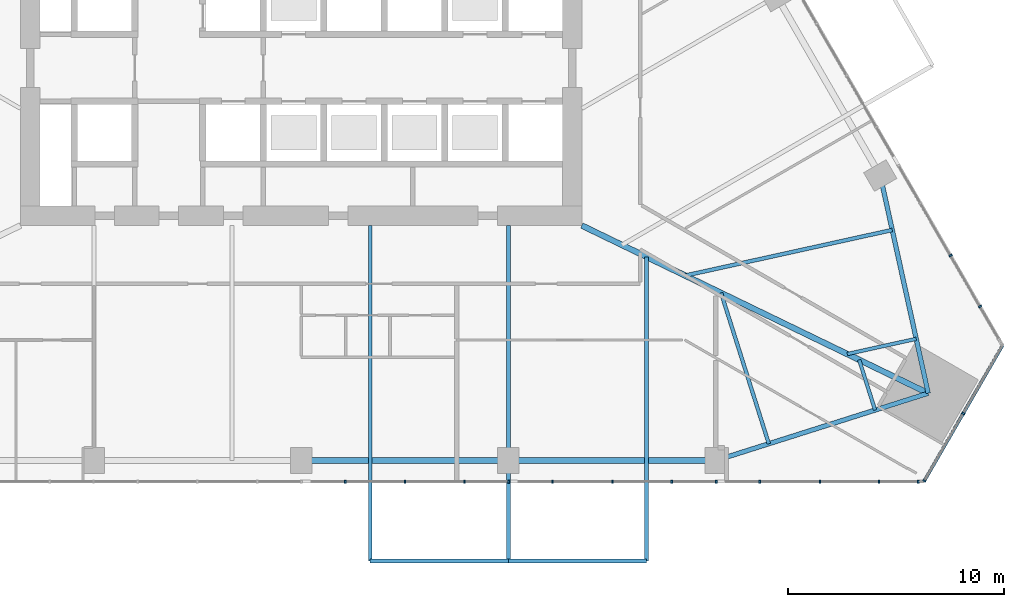
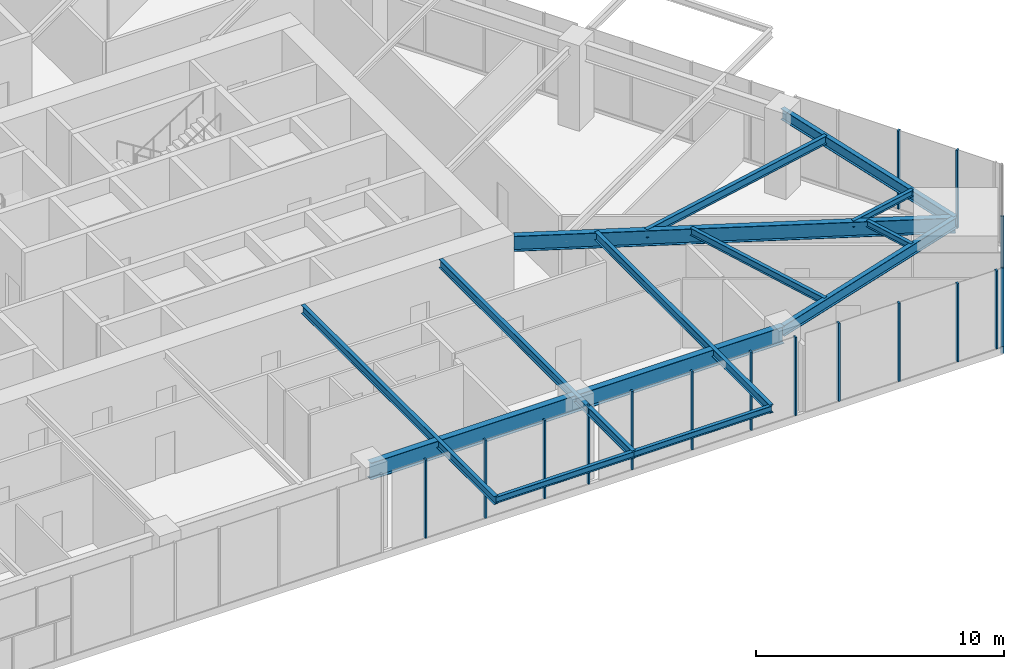
# One storey, part 6 of 29: 17 members, 13 beams, 3 elements without a shape of their own.
"""IFC4 building model written with IfcOpenShell, lengths in metres."""

from ifc_helpers import new_model, si_unit, direction, frame, origin, origin_2d, place, context, subcontext, project, spatial, rectangle, i_section, extrude, material, layer, layer_set, material_profile, profile_set, type_object, element, aggregate, save


model = new_model("IFC4")

# Units and contexts
model_context = context("Model", 3, precision=1e-05, world=origin(), true_north=direction((0.0, 1.0)))
body_context = subcontext(model_context, "Body", "Model", "MODEL_VIEW")
ifc_project = project(units=[si_unit("LENGTHUNIT", "METRE"), si_unit("AREAUNIT", "SQUARE_METRE"), si_unit("VOLUMEUNIT", "CUBIC_METRE"), si_unit("PLANEANGLEUNIT", "RADIAN"), si_unit("MASSUNIT", "GRAM", prefix="KILO")], contexts=[model_context])

# Site, building, storey
site_placement = place(None, origin())
site = spatial("IfcSite", under=ifc_project, at=site_placement, CompositionType="ELEMENT")
building_placement = place(site_placement, origin())
building = spatial("IfcBuilding", under=site, at=building_placement, Name="Firuza Gate Tower and Library", CompositionType="ELEMENT")
storey_placement = place(building_placement, frame((0.0, 0.0, 44.199951171875)))
storey = spatial("IfcBuildingStorey", under=building, at=storey_placement, Name="L09", CompositionType="ELEMENT", Elevation=44.199951171875)

# Curtain wall, members
ifc_material_1 = material(Name="Aluminium 6063-T6", Category="aluminium")
ifc_layer_1 = layer(ifc_material_1, 0.14990234375)
ifc_layer_set_1 = layer_set([ifc_layer_1], Name="Unitised curtain wall, offices")
curtain_wall_type_1 = type_object("IfcCurtainWallType", Name="Unitised curtain wall, offices", PredefinedType="NOTDEFINED", material=ifc_layer_set_1)
placement = place(storey_placement, origin())
curtain_wall_1 = element("IfcCurtainWall", 1, at=placement, inside=storey, type_object=curtain_wall_type_1, Name="CW1 L09 S face", PredefinedType="NOTDEFINED")
ifc_material_2 = material(Name="Aluminium 6063-T6", Category="aluminium")
ifc_material_profile_1 = material_profile(ifc_material_2, rectangle(XDim=0.14990234375, YDim=0.080078125, at=origin_2d()))
ifc_profile_set_1 = profile_set([ifc_material_profile_1], Name="Aluminium 6063-T6")
member_type_1 = type_object("IfcMemberType", Name="Curtain wall mullion 80x150", PredefinedType="MULLION", material=ifc_profile_set_1)
member_1_placement = place(storey_placement, frame((79.80712890625, 54.140380859375, 0.150146484375), z_axis=(0.0, 0.0, 1.0), x_axis=(0.0, 1.0, 0.0)))
member_1 = element("IfcMember", 2, at=member_1_placement, type_object=member_type_1, Name="Mullion", PredefinedType="MULLION", context=body_context, shape_type="SweptSolid", body=[
    extrude(rectangle(XDim=0.14990234375, YDim=0.080078125, at=origin_2d()), origin(), (0.0, 0.0, 1.0), 3.849853515625),
])
member_2_placement = place(storey_placement, frame((84.614501953125, 54.140380859375, 0.150146484375), z_axis=(0.0, 0.0, 1.0), x_axis=(0.0, 1.0, 0.0)))
member_2 = element("IfcMember", 3, at=member_2_placement, type_object=member_type_1, Name="Mullion", PredefinedType="MULLION", context=body_context, shape_type="SweptSolid", body=[
    extrude(rectangle(XDim=0.14990234375, YDim=0.080078125, at=origin_2d()), origin(), (0.0, 0.0, 1.0), 3.849853515625),
])
member_3_placement = place(storey_placement, frame((89.421630859375, 54.140380859375, 0.150146484375), z_axis=(0.0, 0.0, 1.0), x_axis=(0.0, 1.0, 0.0)))
member_3 = element("IfcMember", 4, at=member_3_placement, type_object=member_type_1, Name="Mullion", PredefinedType="MULLION", context=body_context, shape_type="SweptSolid", body=[
    extrude(rectangle(XDim=0.14990234375, YDim=0.080078125, at=origin_2d()), origin(), (0.0, 0.0, 1.0), 3.849853515625),
])
member_4_placement = place(storey_placement, frame((94.228759765625, 54.140380859375, 0.150146484375), z_axis=(0.0, 0.0, 1.0), x_axis=(0.0, 1.0, 0.0)))
member_4 = element("IfcMember", 5, at=member_4_placement, type_object=member_type_1, Name="Mullion", PredefinedType="MULLION", context=body_context, shape_type="SweptSolid", body=[
    extrude(rectangle(XDim=0.14990234375, YDim=0.080078125, at=origin_2d()), origin(), (0.0, 0.0, 1.0), 3.849853515625),
])
member_5_placement = place(storey_placement, frame((99.0361328125, 54.140380859375, 0.150146484375), z_axis=(0.0, 0.0, 1.0), x_axis=(0.0, 1.0, 0.0)))
member_5 = element("IfcMember", 6, at=member_5_placement, type_object=member_type_1, Name="Mullion", PredefinedType="MULLION", context=body_context, shape_type="SweptSolid", body=[
    extrude(rectangle(XDim=0.14990234375, YDim=0.080078125, at=origin_2d()), origin(), (0.0, 0.0, 1.0), 3.849853515625),
])
member_6_placement = place(storey_placement, frame((77.03759765625, 54.140380859375, 0.150146484375), z_axis=(0.0, 0.0, 1.0), x_axis=(0.0, 1.0, 0.0)))
member_6 = element("IfcMember", 7, at=member_6_placement, type_object=member_type_1, Name="Mullion", PredefinedType="MULLION", context=body_context, shape_type="SweptSolid", body=[
    extrude(rectangle(XDim=0.14990234375, YDim=0.080078125, at=origin_2d()), origin(), (0.0, 0.0, 1.0), 3.849853515625),
])
member_7_placement = place(storey_placement, frame((82.5625, 54.140380859375, 0.150146484375), z_axis=(0.0, 0.0, 1.0), x_axis=(0.0, 1.0, 0.0)))
member_7 = element("IfcMember", 8, at=member_7_placement, type_object=member_type_1, Name="Mullion", PredefinedType="MULLION", context=body_context, shape_type="SweptSolid", body=[
    extrude(rectangle(XDim=0.14990234375, YDim=0.080078125, at=origin_2d()), origin(), (0.0, 0.0, 1.0), 3.849853515625),
])
member_8_placement = place(storey_placement, frame((86.6376953125, 54.140380859375, 0.150146484375), z_axis=(0.0, 0.0, 1.0), x_axis=(0.0, 1.0, 0.0)))
member_8 = element("IfcMember", 9, at=member_8_placement, type_object=member_type_1, Name="Mullion", PredefinedType="MULLION", context=body_context, shape_type="SweptSolid", body=[
    extrude(rectangle(XDim=0.14990234375, YDim=0.080078125, at=origin_2d()), origin(), (0.0, 0.0, 1.0), 3.849853515625),
])
member_9_placement = place(storey_placement, frame((92.162353515625, 54.140380859375, 0.150146484375), z_axis=(0.0, 0.0, 1.0), x_axis=(0.0, 1.0, 0.0)))
member_9 = element("IfcMember", 10, at=member_9_placement, type_object=member_type_1, Name="Mullion", PredefinedType="MULLION", context=body_context, shape_type="SweptSolid", body=[
    extrude(rectangle(XDim=0.14990234375, YDim=0.080078125, at=origin_2d()), origin(), (0.0, 0.0, 1.0), 3.849853515625),
])
member_10_placement = place(storey_placement, frame((96.237548828125, 54.140380859375, 0.150146484375), z_axis=(0.0, 0.0, 1.0), x_axis=(0.0, 1.0, 0.0)))
member_10 = element("IfcMember", 11, at=member_10_placement, type_object=member_type_1, Name="Mullion", PredefinedType="MULLION", context=body_context, shape_type="SweptSolid", body=[
    extrude(rectangle(XDim=0.14990234375, YDim=0.080078125, at=origin_2d()), origin(), (0.0, 0.0, 1.0), 3.849853515625),
])
member_11_placement = place(storey_placement, frame((101.762451171875, 54.140380859375, 0.150146484375), z_axis=(0.0, 0.0, 1.0), x_axis=(0.0, 1.0, 0.0)))
member_11 = element("IfcMember", 12, at=member_11_placement, type_object=member_type_1, Name="Mullion", PredefinedType="MULLION", context=body_context, shape_type="SweptSolid", body=[
    extrude(rectangle(XDim=0.14990234375, YDim=0.080078125, at=origin_2d()), origin(), (0.0, 0.0, 1.0), 3.849853515625),
])
member_12_placement = place(storey_placement, frame((103.5771484375, 54.140380859375, 0.150146484375), z_axis=(0.0, 0.0, 1.0), x_axis=(0.0, 1.0, 0.0)))
member_12 = element("IfcMember", 13, at=member_12_placement, type_object=member_type_1, Name="Mullion", PredefinedType="MULLION", context=body_context, shape_type="SweptSolid", body=[
    extrude(rectangle(XDim=0.14990234375, YDim=0.080078125, at=origin_2d()), origin(), (0.0, 0.0, 1.0), 3.849853515625),
])
aggregate(curtain_wall_1, [member_1, member_2, member_3, member_4, member_5, member_6, member_7, member_8, member_9, member_10, member_11, member_12])

ifc_material_3 = material(Name="Aluminium 6063-T6", Category="aluminium")
ifc_layer_2 = layer(ifc_material_3, 0.14990234375)
ifc_layer_set_2 = layer_set([ifc_layer_2], Name="Corner curtain wall, chamfers")
curtain_wall_type_2 = type_object("IfcCurtainWallType", Name="Corner curtain wall, chamfers", PredefinedType="NOTDEFINED", material=ifc_layer_set_2)
curtain_wall_2 = element("IfcCurtainWall", 14, at=placement, inside=storey, type_object=curtain_wall_type_2, Name="CW4 L09 SE corner", PredefinedType="NOTDEFINED")
member_13_placement = place(storey_placement, frame((103.86328125, 54.175048828125, 0.150146484375), z_axis=(0.0, 0.0, 1.0), x_axis=(-0.866025403784, 0.5, 0.0)))
member_13 = element("IfcMember", 15, at=member_13_placement, type_object=member_type_1, Name="Mullion", PredefinedType="MULLION", context=body_context, shape_type="SweptSolid", body=[
    extrude(rectangle(XDim=0.14990234375, YDim=0.080078125, at=origin_2d()), origin(), (0.0, 0.0, 1.0), 3.849853515625),
])
member_14_placement = place(storey_placement, frame((105.6650390625, 57.295654296875, 0.150146484375), z_axis=(0.0, 0.0, 1.0), x_axis=(-0.866025403784, 0.5, 0.0)))
member_14 = element("IfcMember", 16, at=member_14_placement, type_object=member_type_1, Name="Mullion", PredefinedType="MULLION", context=body_context, shape_type="SweptSolid", body=[
    extrude(rectangle(XDim=0.14990234375, YDim=0.080078125, at=origin_2d()), origin(), (0.0, 0.0, 1.0), 3.849853515625),
])

curtain_wall_3 = element("IfcCurtainWall", 17, at=placement, inside=storey, type_object=curtain_wall_type_1, Name="CW1 L09 E face", PredefinedType="NOTDEFINED")
member_15_placement = place(storey_placement, frame((105.0830078125, 64.614013671875, 0.150146484375), z_axis=(0.0, 0.0, 1.0), x_axis=(-0.866025403784, -0.5, 0.0)))
member_15 = element("IfcMember", 18, at=member_15_placement, type_object=member_type_1, Name="Mullion", PredefinedType="MULLION", context=body_context, shape_type="SweptSolid", body=[
    extrude(rectangle(XDim=0.14990234375, YDim=0.080078125, at=origin_2d()), origin(), (0.0, 0.0, 1.0), 3.849853515625),
])
member_16_placement = place(storey_placement, frame((106.446044921875, 62.2529296875, 0.150146484375), z_axis=(0.0, 0.0, 1.0), x_axis=(-0.866025403784, -0.5, 0.0)))
member_16 = element("IfcMember", 19, at=member_16_placement, type_object=member_type_1, Name="Mullion", PredefinedType="MULLION", context=body_context, shape_type="SweptSolid", body=[
    extrude(rectangle(XDim=0.14990234375, YDim=0.080078125, at=origin_2d()), origin(), (0.0, 0.0, 1.0), 3.849853515625),
])
aggregate(curtain_wall_3, [member_15, member_16])

# Member
ifc_material_4 = material(Name="Aluminium 6063-T6", Category="aluminium")
ifc_material_profile_2 = material_profile(ifc_material_4, rectangle(XDim=0.14990234375, YDim=0.35009765625, at=origin_2d()))
ifc_profile_set_2 = profile_set([ifc_material_profile_2], Name="Aluminium 6063-T6")
member_type_2 = type_object("IfcMemberType", Name="Curtain wall transom 350x150", PredefinedType="USERDEFINED", material=ifc_profile_set_2)
member_17_placement = place(storey_placement, frame((103.84326171875, 54.140380859375, -0.02490234375), z_axis=(0.500005719219, 0.866022101766, 0.0), x_axis=(-0.866022101766, 0.500005719219, 0.0)))
member_17 = element("IfcMember", 20, at=member_17_placement, type_object=member_type_2, Name="Transom", ObjectType="TRANSOM", PredefinedType="USERDEFINED", context=body_context, shape_type="SweptSolid", body=[
    extrude(rectangle(XDim=0.14990234375, YDim=0.35009765625, at=origin_2d()), origin(), (0.0, 0.0, 1.0), 7.28662109375),
])

aggregate(curtain_wall_2, [member_13, member_14, member_17])

# Beams
ifc_material_5 = material(Name="Steel S355", Category="steel")
ifc_material_profile_3 = material_profile(ifc_material_5, i_section(OverallWidth=0.1650390625, OverallDepth=0.31005859375, WebThickness=0.005859375, FlangeThickness=0.009765625, at=origin_2d()))
ifc_profile_set_3 = profile_set([ifc_material_profile_3], Name="Steel S355")
beam_type_1 = type_object("IfcBeamType", Name="W310x39 Floor beam", PredefinedType="JOIST", material=ifc_profile_set_3)
beam_1_placement = place(storey_placement, frame((101.580810546875, 57.45361328125, 3.844970703125), z_axis=(-0.30197349393, 0.953316321566, 0.0), x_axis=(-0.953316321566, -0.30197349393, 0.0)))
element("IfcBeam", 21, at=beam_1_placement, inside=storey, type_object=beam_type_1, Name="Floor beam L09 s31", PredefinedType="JOIST", context=body_context, shape_type="SweptSolid", body=[
    extrude(i_section(OverallWidth=0.1650390625, OverallDepth=0.31005859375, WebThickness=0.005859375, FlangeThickness=0.009765625, at=origin_2d()), origin(), (0.0, 0.0, 1.0), 2.441650390625),
])
beam_2_placement = place(storey_placement, frame((103.486083984375, 60.75341796875, 3.844970703125), z_axis=(-0.976601243751, -0.215058156564, 0.0), x_axis=(0.215058156564, -0.976601243751, 0.0)))
element("IfcBeam", 22, at=beam_2_placement, inside=storey, type_object=beam_type_1, Name="Floor beam L09 s40", PredefinedType="JOIST", context=body_context, shape_type="SweptSolid", body=[
    extrude(i_section(OverallWidth=0.1650390625, OverallDepth=0.31005859375, WebThickness=0.005859375, FlangeThickness=0.009765625, at=origin_2d()), origin(), (0.0, 0.0, 1.0), 3.27294921875),
])
beam_3_placement = place(storey_placement, frame((78.199951171875, 50.46533203125, 3.844970703125), z_axis=(1.0, 0.0, 0.0), x_axis=(0.0, 1.0, 0.0)))
element("IfcBeam", 23, at=beam_3_placement, inside=storey, type_object=beam_type_1, Name="Tray edge beam L09 s23-s24", PredefinedType="JOIST", context=body_context, shape_type="SweptSolid", body=[
    extrude(i_section(OverallWidth=0.1650390625, OverallDepth=0.31005859375, WebThickness=0.005859375, FlangeThickness=0.009765625, at=origin_2d()), origin(), (0.0, 0.0, 1.0), 6.400146484375),
])
beam_4_placement = place(storey_placement, frame((84.60009765625, 50.46533203125, 3.844970703125), z_axis=(1.0, 0.0, 0.0), x_axis=(0.0, 1.0, 0.0)))
element("IfcBeam", 24, at=beam_4_placement, inside=storey, type_object=beam_type_1, Name="Tray edge beam L09 s24-s25", PredefinedType="JOIST", context=body_context, shape_type="SweptSolid", body=[
    extrude(i_section(OverallWidth=0.1650390625, OverallDepth=0.31005859375, WebThickness=0.005859375, FlangeThickness=0.009765625, at=origin_2d()), origin(), (0.0, 0.0, 1.0), 6.39990234375),
])
ifc_material_6 = material(Name="Steel S355", Category="steel")
ifc_material_profile_4 = material_profile(ifc_material_6, i_section(OverallWidth=0.1708984375, OverallDepth=0.35498046875, WebThickness=0.007080078125, FlangeThickness=0.01171875, at=origin_2d()))
ifc_profile_set_4 = profile_set([ifc_material_profile_4], Name="Steel S355")
beam_type_2 = type_object("IfcBeamType", Name="W360x51 Floor beam", PredefinedType="JOIST", material=ifc_profile_set_4)
beam_5_placement = place(storey_placement, frame((96.660400390625, 55.894775390625, 3.822509765625), z_axis=(-0.302024477968, 0.953300170307, 0.0), x_axis=(-0.953300170307, -0.302024477968, 0.0)))
element("IfcBeam", 25, at=beam_5_placement, inside=storey, type_object=beam_type_2, Name="Floor beam L09 s30", PredefinedType="JOIST", context=body_context, shape_type="SweptSolid", body=[
    extrude(i_section(OverallWidth=0.1708984375, OverallDepth=0.35498046875, WebThickness=0.007080078125, FlangeThickness=0.01171875, at=origin_2d()), origin(), (0.0, 0.0, 1.0), 7.3251953125),
])
ifc_material_7 = material(Name="Steel S355", Category="steel")
ifc_material_profile_5 = material_profile(ifc_material_7, i_section(OverallWidth=0.177978515625, OverallDepth=0.406982421875, WebThickness=0.0078125, FlangeThickness=0.0126953125, at=origin_2d()))
ifc_profile_set_5 = profile_set([ifc_material_profile_5], Name="Steel S355")
beam_type_3 = type_object("IfcBeamType", Name="W410x60 Floor beam", PredefinedType="JOIST", material=ifc_profile_set_5)
for number, where, z_axis, x_axis, name in (
    (26, (78.199951171875, 50.46533203125, 3.796630859375), (0.0, 1.0, 0.0), (-1.0, 0.0, 0.0), "Floor beam L09 s23"),
    (27, (84.60009765625, 50.46533203125, 3.796630859375), (0.0, 1.0, 0.0), (-1.0, 0.0, 0.0), "Floor beam L09 s24"),
):
    element("IfcBeam", number, at=place(storey_placement, frame(where, z_axis=z_axis, x_axis=x_axis)), inside=storey, type_object=beam_type_3, Name=name, PredefinedType="JOIST", context=body_context, shape_type="SweptSolid", body=[
        extrude(i_section(OverallWidth=0.177978515625, OverallDepth=0.406982421875, WebThickness=0.0078125, FlangeThickness=0.0126953125, at=origin_2d()), origin(), (0.0, 0.0, 1.0), 15.53466796875),
    ])
beam_6_placement = place(storey_placement, frame((91.0, 50.46533203125, 3.796630859375), z_axis=(0.0, 1.0, 0.0), x_axis=(-1.0, 0.0, 0.0)))
element("IfcBeam", 28, at=beam_6_placement, inside=storey, type_object=beam_type_3, Name="Floor beam L09 s25", PredefinedType="JOIST", context=body_context, shape_type="SweptSolid", body=[
    extrude(i_section(OverallWidth=0.177978515625, OverallDepth=0.406982421875, WebThickness=0.0078125, FlangeThickness=0.0126953125, at=origin_2d()), origin(), (0.0, 0.0, 1.0), 14.08203125),
])
beam_7_placement = place(storey_placement, frame((102.375732421875, 65.794189453125, 3.796630859375), z_axis=(-0.97658964753, -0.215110809441, 0.0), x_axis=(0.215110809441, -0.97658964753, 0.0)))
element("IfcBeam", 29, at=beam_7_placement, inside=storey, type_object=beam_type_3, Name="Floor beam L09 s41", PredefinedType="JOIST", context=body_context, shape_type="SweptSolid", body=[
    extrude(i_section(OverallWidth=0.177978515625, OverallDepth=0.406982421875, WebThickness=0.0078125, FlangeThickness=0.0126953125, at=origin_2d()), origin(), (0.0, 0.0, 1.0), 9.818359375),
])
ifc_material_8 = material(Name="Steel S355", Category="steel")
ifc_material_profile_6 = material_profile(ifc_material_8, i_section(OverallWidth=0.212890625, OverallDepth=0.5390625, WebThickness=0.01171875, FlangeThickness=0.018798828125, at=origin_2d()))
ifc_profile_set_6 = profile_set([ifc_material_profile_6], Name="Steel S355")
beam_type_4 = type_object("IfcBeamType", Name="W530x109 Edge beam", PredefinedType="SPANDREL", material=ifc_profile_set_6)
for number, where, z_axis, x_axis, name in (
    (30, (94.199951171875, 55.115478515625, 3.73046875), (0.953307052276, 0.302002755087, 0.0), (-0.302002755087, 0.953307052276, 0.0), "Edge beam L09 e30"),
    (31, (104.041259765625, 58.233154296875, 3.73046875), (-0.215117130091, 0.976588255275, 0.0), (-0.976588255275, -0.215117130091, 0.0), "Edge beam L09 e40"),
):
    element("IfcBeam", number, at=place(storey_placement, frame(where, z_axis=z_axis, x_axis=x_axis)), inside=storey, type_object=beam_type_4, Name=name, PredefinedType="SPANDREL", context=body_context, shape_type="SweptSolid", body=[
        extrude(i_section(OverallWidth=0.212890625, OverallDepth=0.5390625, WebThickness=0.01171875, FlangeThickness=0.018798828125, at=origin_2d()), origin(), (0.0, 0.0, 1.0), 10.3232421875),
    ])
ifc_material_9 = material(Name="Steel S355", Category="steel")
ifc_material_profile_7 = material_profile(ifc_material_9, i_section(OverallWidth=0.264892578125, OverallDepth=0.7529296875, WebThickness=0.01318359375, FlangeThickness=0.01708984375, at=origin_2d()))
ifc_profile_set_7 = profile_set([ifc_material_profile_7], Name="Steel S355")
beam_type_5 = type_object("IfcBeamType", Name="W760x147 Girder", PredefinedType="BEAM", material=ifc_profile_set_7)
beam_8_placement = place(storey_placement, frame((104.041259765625, 58.233154296875, 3.62353515625), z_axis=(-0.900050421894, 0.43578577082, 0.0), x_axis=(-0.43578577082, -0.900050421894, 0.0)))
element("IfcBeam", 32, at=beam_8_placement, inside=storey, type_object=beam_type_5, Name="Girder L09 gSE", PredefinedType="BEAM", context=body_context, shape_type="SweptSolid", body=[
    extrude(i_section(OverallWidth=0.264892578125, OverallDepth=0.7529296875, WebThickness=0.01318359375, FlangeThickness=0.01708984375, at=origin_2d()), origin(), (0.0, 0.0, 1.0), 17.822509765625),
])
ifc_material_10 = material(Name="Steel S355", Category="steel")
ifc_material_profile_8 = material_profile(ifc_material_10, i_section(OverallWidth=0.2919921875, OverallDepth=0.8349609375, WebThickness=0.013916015625, FlangeThickness=0.018798828125, at=origin_2d()))
ifc_profile_set_8 = profile_set([ifc_material_profile_8], Name="Steel S355")
beam_type_6 = type_object("IfcBeamType", Name="W840x176 Edge beam", PredefinedType="SPANDREL", material=ifc_profile_set_8)
beam_9_placement = place(storey_placement, frame((75.0, 55.115478515625, 3.58251953125), z_axis=(1.0, 0.0, 0.0), x_axis=(0.0, 1.0, 0.0)))
element("IfcBeam", 33, at=beam_9_placement, inside=storey, type_object=beam_type_6, Name="Edge beam L09 e22", PredefinedType="SPANDREL", context=body_context, shape_type="SweptSolid", body=[
    extrude(i_section(OverallWidth=0.2919921875, OverallDepth=0.8349609375, WebThickness=0.013916015625, FlangeThickness=0.018798828125, at=origin_2d()), origin(), (0.0, 0.0, 1.0), 19.199951171875),
])

save(model, "model.ifc")
